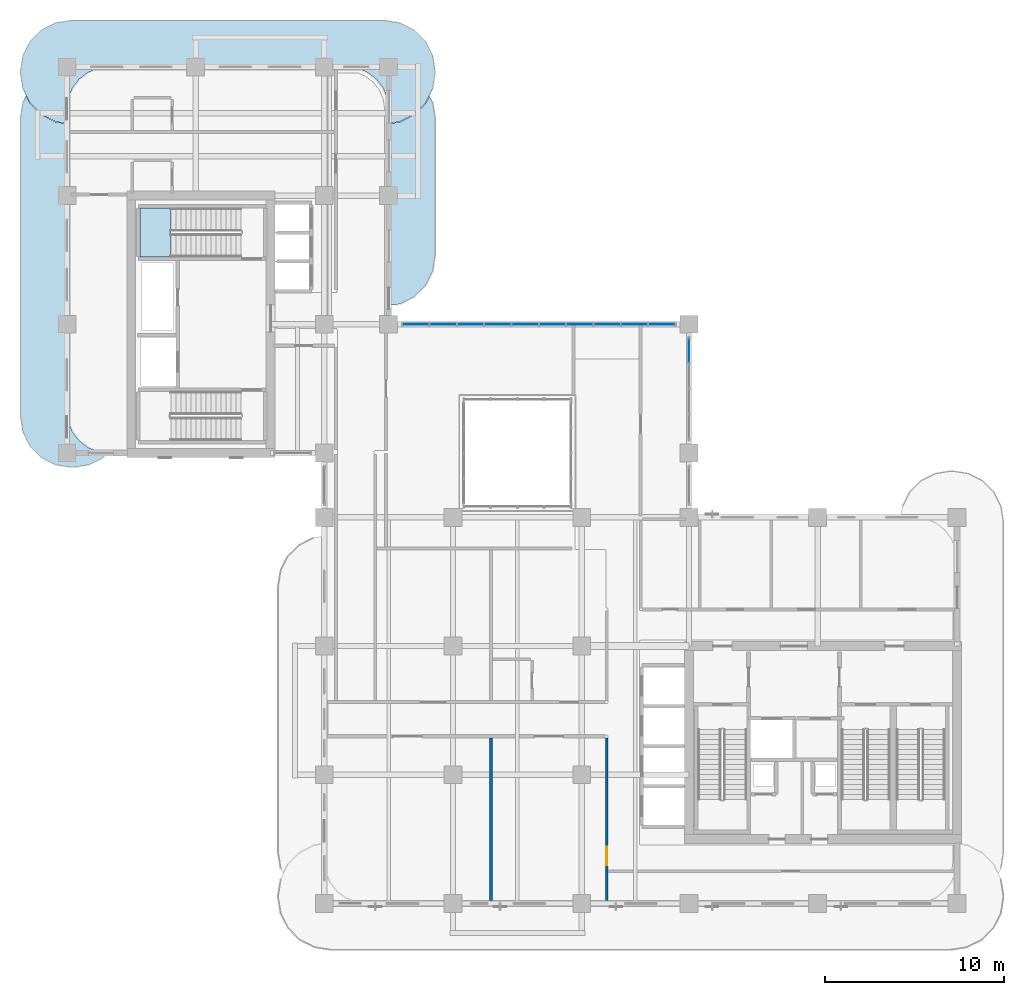
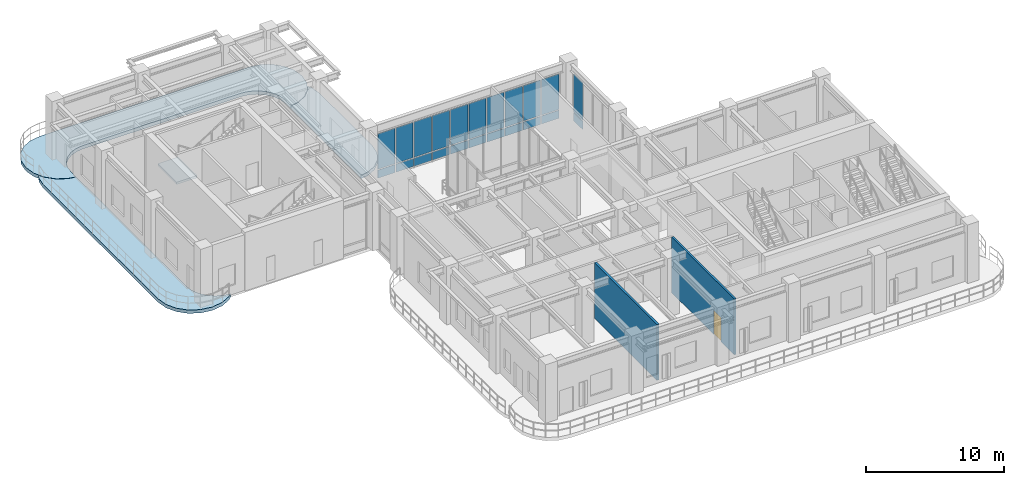
# One storey, part 10 of 21: 22 plates, 4 slabs, 2 walls, 1 door, 1 opening, 3 elements without a shape of their own.
"""IFC4 building model written with IfcOpenShell, lengths in metres."""

import ifcopenshell
import ifcopenshell.guid

model = None  # the IFC model being written
_history = None  # IfcOwnerHistory: only IFC2X3 demands one
_inside = {}  # id of a spatial element -> (the spatial element, [elements in it])
_under = {}  # id of a project, library or spatial element -> (it, [spatial elements below it])
_declared = {}  # id of a project -> (the project, [libraries it declares])
_typed = {}  # id of a type object -> (the type object, [elements of that type])
_made_of = {}  # id of a material, layer set ... -> (it, [elements and type objects made of it])


def new_model(schema):
    """Start an empty IFC model of exactly this schema.

    Asked for "IFC4X3", IfcOpenShell would pick the latest addendum, in which some entities
    have other attributes; the version numbers below select the first issue.
    IFC2X3 requires an IfcOwnerHistory on every rooted entity: one is made here for all.
    """
    global model, _history
    if schema == "IFC4X3":
        model = ifcopenshell.file(schema_version=(4, 3, 0, 0))
    else:
        model = ifcopenshell.file(schema=schema)
    _inside.clear()
    _under.clear()
    _declared.clear()
    _typed.clear()
    _made_of.clear()
    _history = None
    if model.schema == "IFC2X3":
        org = make("IfcOrganization", Name="unknown")
        user = make(
            "IfcPersonAndOrganization",
            ThePerson=make("IfcPerson", FamilyName="unknown"),
            TheOrganization=org,
        )
        app = make(
            "IfcApplication",
            ApplicationDeveloper=org,
            Version="unknown",
            ApplicationFullName="unknown",
            ApplicationIdentifier="unknown",
        )
        _history = make(
            "IfcOwnerHistory",
            OwningUser=user,
            OwningApplication=app,
            ChangeAction="ADDED",
            CreationDate=0,
        )
    return model


def make(cls, **values):
    """One entity of the class cls with the attributes given. An attribute that is None is left unset."""
    return model.create_entity(
        cls, **{name: value for name, value in values.items() if value is not None}
    )


def rooted(cls, **values):
    """An entity with a GlobalId (a new one), such as an element, a storey or a relation."""
    return make(cls, GlobalId=ifcopenshell.guid.new(), OwnerHistory=_history, **values)


def si_unit(unit_type, name, prefix=None):
    """IfcSIUnit, for example si_unit("LENGTHUNIT", "METRE", prefix="MILLI")."""
    return make("IfcSIUnit", UnitType=unit_type, Prefix=prefix, Name=name)


def derived_unit(unit_type, elements):
    """IfcDerivedUnit: a product of units, each with its exponent."""
    return make(
        "IfcDerivedUnit",
        Elements=[
            make("IfcDerivedUnitElement", Unit=unit, Exponent=power)
            for unit, power in elements
        ],
        UnitType=unit_type,
    )


def assignment(units):
    """IfcUnitAssignment: the units of a project."""
    return None if units is None else make("IfcUnitAssignment", Units=units)


def point(xyz):
    """IfcCartesianPoint."""
    return None if xyz is None else make("IfcCartesianPoint", Coordinates=xyz)


def direction(xyz):
    """IfcDirection."""
    return None if xyz is None else make("IfcDirection", DirectionRatios=xyz)


def frame(location, z_axis=None, x_axis=None):
    """IfcAxis2Placement3D, a coordinate frame: its origin and axes. An axis left out is left unset."""
    return make(
        "IfcAxis2Placement3D",
        Location=point(location),
        Axis=direction(z_axis),
        RefDirection=direction(x_axis),
    )


def frame_2d(location, x_axis=None):
    """IfcAxis2Placement2D, a coordinate frame in the plane: its origin and x axis."""
    return make(
        "IfcAxis2Placement2D", Location=point(location), RefDirection=direction(x_axis)
    )


def origin():
    """The frame at (0, 0, 0) with its axes left unset."""
    return frame((0.0, 0.0, 0.0))


def origin_2d():
    """The frame at (0, 0) in the plane with its x axis left unset."""
    return frame_2d((0.0, 0.0))


def place(relative_to, where):
    """IfcLocalPlacement: puts the frame where relative to a parent placement (None: the world)."""
    return make(
        "IfcLocalPlacement", PlacementRelTo=relative_to, RelativePlacement=where
    )


def context(
    kind, dimensions, precision=None, world=None, true_north=None, identifier=None
):
    """IfcGeometricRepresentationContext, for example the 3D "Model" context."""
    return make(
        "IfcGeometricRepresentationContext",
        ContextIdentifier=identifier,
        ContextType=kind,
        CoordinateSpaceDimension=dimensions,
        Precision=precision,
        WorldCoordinateSystem=world,
        TrueNorth=true_north,
    )


def subcontext(parent, identifier, kind, view, scale=None):
    """IfcGeometricRepresentationSubContext, for example "Body" below "Model"."""
    return make(
        "IfcGeometricRepresentationSubContext",
        ContextIdentifier=identifier,
        ContextType=kind,
        ParentContext=parent,
        TargetScale=scale,
        TargetView=view,
    )


def project(units=None, contexts=None):
    """IfcProject with its units and contexts."""
    return rooted(
        "IfcProject",
        Name="project",
        RepresentationContexts=contexts,
        UnitsInContext=assignment(units),
    )


def spatial(cls, under=None, at=None, **own):
    """A site, building, storey or space (cls), placed at a placement, below another one or the project."""
    s = rooted(cls, ObjectPlacement=at, **own)
    if under is not None:
        _under.setdefault(under.id(), (under, []))[1].append(s)
    return s


def polyline(points):
    """IfcPolyline through the points."""
    return make("IfcPolyline", Points=[point(p) for p in points])


def profile(cls, at=None, kind="AREA", **sizes):
    """A parametric profile (cls). Its sizes go by their IFC names, for example OverallWidth=200.0."""
    return make(cls, ProfileType=kind, Position=at, **sizes)


def rectangle(**sizes):
    """IfcRectangleProfileDef."""
    return profile("IfcRectangleProfileDef", **sizes)


def outline(outer, holes=None, kind="AREA"):
    """IfcArbitraryClosedProfileDef: a profile drawn as a closed curve; with holes, ...WithVoids."""
    if holes is None:
        return make("IfcArbitraryClosedProfileDef", ProfileType=kind, OuterCurve=outer)
    return make(
        "IfcArbitraryProfileDefWithVoids",
        ProfileType=kind,
        OuterCurve=outer,
        InnerCurves=holes,
    )


def extrude(swept, where, along, depth):
    """IfcExtrudedAreaSolid: the profile swept, set in the frame where, extruded along a direction by depth."""
    return make(
        "IfcExtrudedAreaSolid",
        SweptArea=swept,
        Position=where,
        ExtrudedDirection=direction(along),
        Depth=depth,
    )


def shape(context_of_items, identifier, shape_type, items):
    """IfcShapeRepresentation: the items that make up one representation, for example the "Body"."""
    return make(
        "IfcShapeRepresentation",
        ContextOfItems=context_of_items,
        RepresentationIdentifier=identifier,
        RepresentationType=shape_type,
        Items=items,
    )


def source(mapping_origin, context_of_items, identifier, shape_type, items):
    """IfcRepresentationMap: a shape defined once, which mapped items show again and again."""
    return make(
        "IfcRepresentationMap",
        MappingOrigin=mapping_origin,
        MappedRepresentation=shape(context_of_items, identifier, shape_type, items),
    )


def transform(
    local_origin,
    x_axis=None,
    y_axis=None,
    z_axis=None,
    scale=None,
    scale2=None,
    scale3=None,
    uniform=True,
):
    """IfcCartesianTransformationOperator3D, or its non-uniform kind. x_axis, y_axis, z_axis: its Axis1, 2, 3."""
    if uniform:
        return make(
            "IfcCartesianTransformationOperator3D",
            Axis1=direction(x_axis),
            Axis2=direction(y_axis),
            LocalOrigin=point(local_origin),
            Scale=scale,
            Axis3=direction(z_axis),
        )
    return make(
        "IfcCartesianTransformationOperator3DnonUniform",
        Axis1=direction(x_axis),
        Axis2=direction(y_axis),
        LocalOrigin=point(local_origin),
        Scale=scale,
        Axis3=direction(z_axis),
        Scale2=scale2,
        Scale3=scale3,
    )


def mapped(mapping_source, mapping_target):
    """IfcMappedItem: shows the shape of a source again, moved by a transform."""
    return make(
        "IfcMappedItem", MappingSource=mapping_source, MappingTarget=mapping_target
    )


def material(Name=None, Category=None):
    """IfcMaterial."""
    return make("IfcMaterial", Name=Name, Category=Category)


def layer(
    of_material, thickness, ventilated=None, Name=None, Category=None, Priority=None
):
    """IfcMaterialLayer: one layer of a wall or slab, of a material (None: an air gap)."""
    return make(
        "IfcMaterialLayer",
        Material=of_material,
        LayerThickness=thickness,
        IsVentilated=ventilated,
        Name=Name,
        Category=Category,
        Priority=Priority,
    )


def layer_set(layers, Name=None):
    """IfcMaterialLayerSet."""
    return make("IfcMaterialLayerSet", MaterialLayers=layers, LayerSetName=Name)


def made_of(thing, what):
    """Note that an element or type object is made of a material, layer set ...; save() writes the relation."""
    if what is not None:
        _made_of.setdefault(what.id(), (what, []))[1].append(thing)
    return thing


def type_object(cls, material=None, **own):
    """A type object (cls), such as IfcWallType, which elements share."""
    return made_of(rooted(cls, **own), material)


def type_shapes(of_type, sources):
    """Give a type object the sources (RepresentationMaps) that its elements show as mapped items."""
    of_type.RepresentationMaps = sources


def element(
    cls,
    number,
    at=None,
    inside=None,
    cuts=None,
    type_object=None,
    material=None,
    context=None,
    identifier="Body",
    shape_type=None,
    held_by="IfcProductDefinitionShape",
    body=None,
    shapes=None,
    **own,
):
    """One element of the class cls, such as IfcWall. Its Tag is "e" and its number.

    at: its placement. inside: the storey or other place that contains it. cuts: it is an
    opening in that element (IfcRelVoidsElement). A single representation is given by context,
    identifier, shape_type and body (its items); several are given by shapes. held_by: the class
    of the entity that holds the representations. save() writes the other relations.
    """
    e = rooted(cls, Tag="e%d" % number, ObjectPlacement=at, **own)
    if body is not None:
        shapes = [shape(context, identifier, shape_type, body)]
    if shapes is not None:
        e.Representation = make(held_by, Representations=shapes)
    if inside is not None:
        _inside.setdefault(inside.id(), (inside, []))[1].append(e)
    if cuts is not None:
        rooted(
            "IfcRelVoidsElement", RelatingBuildingElement=cuts, RelatedOpeningElement=e
        )
    if type_object is not None:
        _typed.setdefault(type_object.id(), (type_object, []))[1].append(e)
    return made_of(e, material)


def fill(opening, filler):
    """IfcRelFillsElement: the door or window that sits in an opening."""
    return rooted(
        "IfcRelFillsElement",
        RelatingOpeningElement=opening,
        RelatedBuildingElement=filler,
    )


def aggregate(whole, parts):
    """IfcRelAggregates: a whole, such as a stair, and the parts it consists of."""
    return rooted("IfcRelAggregates", RelatingObject=whole, RelatedObjects=parts)


def save(model, path):
    """Write the relations noted so far, then the file.

    IfcRelAggregates (storeys below a building ...), IfcRelContainedInSpatialStructure (elements
    in a storey), IfcRelDefinesByType, IfcRelAssociatesMaterial and IfcRelDeclares: one each for
    every whole, place, type object, material and project.
    """
    for whole, parts in _under.values():
        aggregate(whole, parts)
    for where, things in _inside.values():
        rooted(
            "IfcRelContainedInSpatialStructure",
            RelatedElements=things,
            RelatingStructure=where,
        )
    for kind, things in _typed.values():
        rooted("IfcRelDefinesByType", RelatedObjects=things, RelatingType=kind)
    for what, things in _made_of.values():
        rooted("IfcRelAssociatesMaterial", RelatedObjects=things, RelatingMaterial=what)
    for by, libraries in _declared.values():
        rooted("IfcRelDeclares", RelatingContext=by, RelatedDefinitions=libraries)
    model.write(path)


model = new_model("IFC4")

# Units and contexts
model_context = context("Model", 3, precision=1e-05, world=origin(), true_north=direction((0.0, 1.0)))
body_context = subcontext(model_context, "Body", "Model", "MODEL_VIEW")
ifc_project = project(units=[si_unit("LENGTHUNIT", "METRE"), si_unit("AREAUNIT", "SQUARE_METRE"), si_unit("VOLUMEUNIT", "CUBIC_METRE"), si_unit("PLANEANGLEUNIT", "RADIAN"), si_unit("MASSUNIT", "GRAM", prefix="KILO"), si_unit("THERMODYNAMICTEMPERATUREUNIT", "KELVIN"), si_unit("POWERUNIT", "WATT"), derived_unit("THERMALTRANSMITTANCEUNIT", [(si_unit("POWERUNIT", "WATT"), 1), (si_unit("AREAUNIT", "SQUARE_METRE"), -1), (si_unit("THERMODYNAMICTEMPERATUREUNIT", "KELVIN"), -1)])], contexts=[model_context])

# Site, building, storey
site_placement = place(None, origin())
site = spatial("IfcSite", under=ifc_project, at=site_placement, CompositionType="ELEMENT")
building_placement = place(site_placement, origin())
building = spatial("IfcBuilding", under=site, at=building_placement, Name="Zahravan Archway Hotel and Residences", CompositionType="ELEMENT")
storey_placement = place(building_placement, frame((0.0, 0.0, 145.10009765625)))
storey = spatial("IfcBuildingStorey", under=building, at=storey_placement, Name="L36", CompositionType="ELEMENT", Elevation=145.10009765625)

# Slabs
ifc_material_1 = material(Name="Concrete C50/60", Category="concrete")
ifc_layer_1 = layer(ifc_material_1, 0.300048828125, Name="Concrete C50/60", Category="concrete")
ifc_layer_set_1 = layer_set([ifc_layer_1], Name="Concrete C50/60")
slab_type_1 = type_object("IfcSlabType", Name="SLB-FLR-300", PredefinedType="FLOOR", material=ifc_layer_set_1)
slab_1_placement = place(storey_placement, frame((0.0, 0.0, -0.300048828125)))
element("IfcSlab", 1, at=slab_1_placement, inside=storey, type_object=slab_type_1, Name="L36 Wing B North Rounded Balcony Band", PredefinedType="FLOOR", context=body_context, shape_type="SweptSolid", body=[
    extrude(outline(polyline([(-0.630615234375, 43.739501953125), (-1.42529296875, 44.144287109375), (-2.0556640625, 44.77490234375), (-2.46044921875, 45.5693359375), (-2.60009765625, 46.449951171875), (-2.60009765625, 46.550048828125), (-2.46044921875, 47.4306640625), (-2.0556640625, 48.22509765625), (-1.42529296875, 48.855712890625), (-0.630615234375, 49.260498046875), (0.25, 49.39990234375), (17.75, 49.39990234375), (18.630615234375, 49.260498046875), (19.42529296875, 48.855712890625), (20.0556640625, 48.22509765625), (20.46044921875, 47.4306640625), (20.60009765625, 46.550048828125), (20.60009765625, 46.449951171875), (20.46044921875, 45.5693359375), (20.0556640625, 44.77490234375), (19.42529296875, 44.144287109375), (18.630615234375, 43.739501953125), (18.02001953125, 43.642822265625), (18.02001953125, 44.39990234375), (18.019775390625, 44.402587890625), (17.93798828125, 45.023681640625), (17.937744140625, 45.025390625), (17.937255859375, 45.027099609375), (17.936767578125, 45.02880859375), (17.697021484375, 45.607666015625), (17.6962890625, 45.609130859375), (17.6953125, 45.610595703125), (17.6943359375, 45.6123046875), (17.31298828125, 46.109375), (17.311767578125, 46.110595703125), (17.310546875, 46.11181640625), (17.309326171875, 46.113037109375), (16.812255859375, 46.494384765625), (16.810791015625, 46.495361328125), (16.80908203125, 46.49609375), (16.8076171875, 46.4970703125), (16.22900390625, 46.73681640625), (16.227294921875, 46.7373046875), (16.2255859375, 46.73779296875), (16.223876953125, 46.738037109375), (15.6025390625, 46.81982421875), (15.60009765625, 46.820068359375), (2.39990234375, 46.820068359375), (2.3974609375, 46.81982421875), (1.776123046875, 46.738037109375), (1.7744140625, 46.73779296875), (1.772705078125, 46.7373046875), (1.77099609375, 46.73681640625), (1.1923828125, 46.4970703125), (1.19091796875, 46.49609375), (1.189208984375, 46.495361328125), (1.187744140625, 46.494384765625), (0.690673828125, 46.113037109375), (0.689453125, 46.11181640625), (0.688232421875, 46.110595703125), (0.68701171875, 46.109375), (0.3056640625, 45.6123046875), (0.3046875, 45.610595703125), (0.3037109375, 45.609130859375), (0.302978515625, 45.607666015625), (0.063232421875, 45.02880859375), (0.062744140625, 45.027099609375), (0.062255859375, 45.025390625), (0.06201171875, 45.023681640625), (-0.019775390625, 44.402587890625), (-0.02001953125, 44.39990234375), (-0.02001953125, 43.642822265625), (-0.630615234375, 43.739501953125)])), origin(), (0.0, 0.0, 1.0), 0.300048828125),
])
slab_2_placement = place(storey_placement, frame((0.0, 0.0, -0.300048828125)))
element("IfcSlab", 2, at=slab_2_placement, inside=storey, type_object=slab_type_1, Name="L36 Wing B West Rounded Balcony Band", PredefinedType="FLOOR", context=body_context, shape_type="SweptSolid", body=[
    extrude(outline(polyline([(2.025146484375, 24.9443359375), (1.230712890625, 24.53955078125), (0.35009765625, 24.39990234375), (0.25, 24.39990234375), (-0.630615234375, 24.53955078125), (-1.42529296875, 24.9443359375), (-2.0556640625, 25.57470703125), (-2.46044921875, 26.369384765625), (-2.60009765625, 27.25), (-2.60009765625, 43.949951171875), (-2.46044921875, 44.830810546875), (-2.28369140625, 45.177978515625), (-2.073486328125, 44.765625), (-2.072509765625, 44.763916015625), (-2.0712890625, 44.76220703125), (-2.06982421875, 44.7607421875), (-1.439208984375, 44.130126953125), (-1.437744140625, 44.12890625), (-1.43603515625, 44.12744140625), (-1.434326171875, 44.12646484375), (-0.639892578125, 43.7216796875), (-0.637939453125, 43.720703125), (-0.635986328125, 43.72021484375), (-0.6337890625, 43.7197265625), (-0.023193359375, 43.623046875), (-0.021240234375, 43.622802734375), (-0.02001953125, 43.622802734375), (-0.02001953125, 27.60009765625), (-0.019775390625, 27.597412109375), (0.06201171875, 26.976318359375), (0.062255859375, 26.974609375), (0.062744140625, 26.972900390625), (0.063232421875, 26.97119140625), (0.302978515625, 26.392333984375), (0.3037109375, 26.390869140625), (0.3046875, 26.389404296875), (0.3056640625, 26.3876953125), (0.68701171875, 25.890625), (0.688232421875, 25.889404296875), (0.689453125, 25.88818359375), (0.690673828125, 25.886962890625), (1.187744140625, 25.505615234375), (1.189208984375, 25.504638671875), (1.19091796875, 25.50390625), (1.1923828125, 25.5029296875), (1.77099609375, 25.26318359375), (1.772705078125, 25.2626953125), (1.7744140625, 25.26220703125), (1.776123046875, 25.261962890625), (2.27685546875, 25.196044921875), (2.025146484375, 24.9443359375)])), origin(), (0.0, 0.0, 1.0), 0.300048828125),
])
slab_3_placement = place(storey_placement, frame((0.0, 0.0, -0.300048828125)))
element("IfcSlab", 3, at=slab_3_placement, inside=storey, type_object=slab_type_1, Name="L36 Wing B East Rounded Balcony Band", PredefinedType="FLOOR", context=body_context, shape_type="SweptSolid", body=[
    extrude(outline(polyline([(20.46044921875, 44.830810546875), (20.60009765625, 43.949951171875), (20.60009765625, 36.25), (20.46044921875, 35.369384765625), (20.0556640625, 34.57470703125), (19.42529296875, 33.9443359375), (18.630615234375, 33.53955078125), (18.02001953125, 33.44287109375), (18.02001953125, 43.622802734375), (18.021240234375, 43.622802734375), (18.023193359375, 43.623046875), (18.6337890625, 43.7197265625), (18.635986328125, 43.72021484375), (18.637939453125, 43.720703125), (18.639892578125, 43.7216796875), (19.434326171875, 44.12646484375), (19.43603515625, 44.12744140625), (19.437744140625, 44.12890625), (19.439208984375, 44.130126953125), (20.06982421875, 44.7607421875), (20.0712890625, 44.76220703125), (20.072509765625, 44.763916015625), (20.073486328125, 44.765625), (20.28369140625, 45.177978515625), (20.46044921875, 44.830810546875)])), origin(), (0.0, 0.0, 1.0), 0.300048828125),
])

# Stair, slab
stair_type = type_object("IfcStairType", Name="STR-CORE-1300", PredefinedType="HALF_TURN_STAIR", material=ifc_material_1)
stair_placement = place(storey_placement, origin())
stair = element("IfcStair", 4, at=stair_placement, inside=storey, type_object=stair_type, Name="L36 Core B Exit Stair 2", PredefinedType="HALF_TURN_STAIR")
ifc_layer_2 = layer(ifc_material_1, 0.199951171875, Name="Concrete C50/60", Category="concrete")
ifc_layer_set_2 = layer_set([ifc_layer_2], Name="Concrete C50/60")
slab_type_2 = type_object("IfcSlabType", Name="SLB-LND-200", PredefinedType="LANDING", material=ifc_layer_set_2)
slab_4_placement = place(storey_placement, frame((0.0, 0.0, 2.39990234375)))
slab_4 = element("IfcSlab", 5, at=slab_4_placement, type_object=slab_type_2, Name="ST-B2 landing 1", PredefinedType="LANDING", context=body_context, shape_type="SweptSolid", body=[
    extrude(outline(polyline([(5.81005859375, 38.89990234375), (4.10009765625, 38.89990234375), (4.10009765625, 36.159912109375), (5.81005859375, 36.159912109375), (5.81005859375, 38.89990234375)])), origin(), (0.0, 0.0, 1.0), 0.199951171875),
])
aggregate(stair, [slab_4])

# Curtain wall, plate
ifc_material_2 = material(Name="Bronze-Anodized Unitised Aluminium & Low-E Glass", Category="aluminium")
ifc_layer_3 = layer(ifc_material_2, 0.179931640625, Name="Bronze-Anodized Unitised Aluminium & Low-E Glass", Category="aluminium")
ifc_layer_set_3 = layer_set([ifc_layer_3], Name="Bronze-Anodized Unitised Aluminium & Low-E Glass")
curtain_wall_type = type_object("IfcCurtainWallType", Name="CW-SBG-2", PredefinedType="NOTDEFINED", material=ifc_layer_set_3)
curtain_wall_1_placement = place(storey_placement, origin())
curtain_wall_1 = element("IfcCurtainWall", 6, at=curtain_wall_1_placement, inside=storey, type_object=curtain_wall_type, Name="L36 Curtain Wall CW-L36-HNG-E-2", PredefinedType="NOTDEFINED")
ifc_material_3 = material(Name="Insulated Terracotta Spandrel Panel", Category="masonry")
ifc_layer_4 = layer(ifc_material_3, 0.0400390625, Name="Insulated Terracotta Spandrel Panel", Category="masonry")
ifc_layer_set_4 = layer_set([ifc_layer_4], Name="Insulated Terracotta Spandrel Panel")
plate_type_1 = type_object("IfcPlateType", Name="CWP-SPN-40", PredefinedType="SHEET", material=ifc_layer_set_4)
shared_shape_1 = source(origin(), body_context, "Body", "SweptSolid", [
    extrude(rectangle(XDim=1.340087890625, YDim=0.0400390625, at=origin_2d()), origin(), (0.0, 0.0, 1.0), 0.7099609375),
])
plate_1_placement = place(storey_placement, frame((34.800048828125, 30.929931640625, 0.099853515625), z_axis=(0.0, 0.0, 1.0), x_axis=(0.0, 1.0, 0.0)))
plate_1 = element("IfcPlate", 7, at=plate_1_placement, type_object=plate_type_1, Name="CW-L36-HNG-E-2 Spandrel Panel 3", PredefinedType="SHEET", context=body_context, shape_type="MappedRepresentation", body=[
    mapped(shared_shape_1, transform((0.0, 0.0, 0.0), scale=1.0)),
])

# Curtain wall, plates
curtain_wall_2_placement = place(storey_placement, origin())
curtain_wall_2 = element("IfcCurtainWall", 8, at=curtain_wall_2_placement, inside=storey, type_object=curtain_wall_type, Name="L36 Curtain Wall CW-L36-HNG-N-1", PredefinedType="NOTDEFINED")
shared_shape_2 = source(origin(), body_context, "Body", "SweptSolid", [
    extrude(rectangle(XDim=1.447998046875, YDim=0.0400390625, at=origin_2d()), origin(), (0.0, 0.0, 1.0), 0.7099609375),
])
plate_2_placement = place(storey_placement, frame((19.52392578125, 32.39990234375, 0.099853515625), z_axis=(0.0, 0.0, 1.0), x_axis=(1.0, 0.0, 0.0)))
plate_2 = element("IfcPlate", 9, at=plate_2_placement, type_object=plate_type_1, Name="CW-L36-HNG-N-1 Spandrel Panel 0", PredefinedType="SHEET", context=body_context, shape_type="MappedRepresentation", body=[
    mapped(shared_shape_2, transform((0.0, 0.0, 0.0), scale=1.0)),
])
plate_3_placement = place(storey_placement, frame((21.052001953125, 32.39990234375, 0.099853515625), z_axis=(0.0, 0.0, 1.0), x_axis=(1.0, 0.0, 0.0)))
plate_3 = element("IfcPlate", 10, at=plate_3_placement, type_object=plate_type_1, Name="CW-L36-HNG-N-1 Spandrel Panel 1", PredefinedType="SHEET", context=body_context, shape_type="MappedRepresentation", body=[
    mapped(shared_shape_2, transform((0.0, 0.0, 0.0), scale=1.0)),
])
plate_4_placement = place(storey_placement, frame((22.580078125, 32.39990234375, 0.099853515625), z_axis=(0.0, 0.0, 1.0), x_axis=(1.0, 0.0, 0.0)))
plate_4 = element("IfcPlate", 11, at=plate_4_placement, type_object=plate_type_1, Name="CW-L36-HNG-N-1 Spandrel Panel 2", PredefinedType="SHEET", context=body_context, shape_type="MappedRepresentation", body=[
    mapped(shared_shape_2, transform((0.0, 0.0, 0.0), scale=1.0)),
])
plate_5_placement = place(storey_placement, frame((24.10791015625, 32.39990234375, 0.099853515625), z_axis=(0.0, 0.0, 1.0), x_axis=(1.0, 0.0, 0.0)))
plate_5 = element("IfcPlate", 12, at=plate_5_placement, type_object=plate_type_1, Name="CW-L36-HNG-N-1 Spandrel Panel 3", PredefinedType="SHEET", context=body_context, shape_type="MappedRepresentation", body=[
    mapped(shared_shape_2, transform((0.0, 0.0, 0.0), scale=1.0)),
])
plate_6_placement = place(storey_placement, frame((25.635986328125, 32.39990234375, 0.099853515625), z_axis=(0.0, 0.0, 1.0), x_axis=(1.0, 0.0, 0.0)))
plate_6 = element("IfcPlate", 13, at=plate_6_placement, type_object=plate_type_1, Name="CW-L36-HNG-N-1 Spandrel Panel 4", PredefinedType="SHEET", context=body_context, shape_type="MappedRepresentation", body=[
    mapped(shared_shape_2, transform((0.0, 0.0, 0.0), scale=1.0)),
])
plate_7_placement = place(storey_placement, frame((27.1640625, 32.39990234375, 0.099853515625), z_axis=(0.0, 0.0, 1.0), x_axis=(1.0, 0.0, 0.0)))
plate_7 = element("IfcPlate", 14, at=plate_7_placement, type_object=plate_type_1, Name="CW-L36-HNG-N-1 Spandrel Panel 5", PredefinedType="SHEET", context=body_context, shape_type="MappedRepresentation", body=[
    mapped(shared_shape_2, transform((0.0, 0.0, 0.0), scale=1.0)),
])
plate_8_placement = place(storey_placement, frame((28.69189453125, 32.39990234375, 0.099853515625), z_axis=(0.0, 0.0, 1.0), x_axis=(1.0, 0.0, 0.0)))
plate_8 = element("IfcPlate", 15, at=plate_8_placement, type_object=plate_type_1, Name="CW-L36-HNG-N-1 Spandrel Panel 6", PredefinedType="SHEET", context=body_context, shape_type="MappedRepresentation", body=[
    mapped(shared_shape_2, transform((0.0, 0.0, 0.0), scale=1.0)),
])
plate_9_placement = place(storey_placement, frame((30.219970703125, 32.39990234375, 0.099853515625), z_axis=(0.0, 0.0, 1.0), x_axis=(1.0, 0.0, 0.0)))
plate_9 = element("IfcPlate", 16, at=plate_9_placement, type_object=plate_type_1, Name="CW-L36-HNG-N-1 Spandrel Panel 7", PredefinedType="SHEET", context=body_context, shape_type="MappedRepresentation", body=[
    mapped(shared_shape_2, transform((0.0, 0.0, 0.0), scale=1.0)),
])
plate_10_placement = place(storey_placement, frame((31.748046875, 32.39990234375, 0.099853515625), z_axis=(0.0, 0.0, 1.0), x_axis=(1.0, 0.0, 0.0)))
plate_10 = element("IfcPlate", 17, at=plate_10_placement, type_object=plate_type_1, Name="CW-L36-HNG-N-1 Spandrel Panel 8", PredefinedType="SHEET", context=body_context, shape_type="MappedRepresentation", body=[
    mapped(shared_shape_2, transform((0.0, 0.0, 0.0), scale=1.0)),
])
plate_11_placement = place(storey_placement, frame((33.27587890625, 32.39990234375, 0.099853515625), z_axis=(0.0, 0.0, 1.0), x_axis=(1.0, 0.0, 0.0)))
plate_11 = element("IfcPlate", 18, at=plate_11_placement, type_object=plate_type_1, Name="CW-L36-HNG-N-1 Spandrel Panel 9", PredefinedType="SHEET", context=body_context, shape_type="MappedRepresentation", body=[
    mapped(shared_shape_2, transform((0.0, 0.0, 0.0), scale=1.0)),
])
ifc_material_4 = material(Name="Double-Silver Low-E Insulated Vision Glass", Category="glass")
ifc_layer_5 = layer(ifc_material_4, 0.028076171875, Name="Double-Silver Low-E Insulated Vision Glass", Category="glass")
ifc_layer_set_5 = layer_set([ifc_layer_5], Name="Double-Silver Low-E Insulated Vision Glass")
plate_type_2 = type_object("IfcPlateType", Name="CWP-GLZ-28", PredefinedType="CURTAIN_PANEL", material=ifc_layer_set_5)
shared_shape_3 = source(origin(), body_context, "Body", "SweptSolid", [
    extrude(rectangle(XDim=1.447998046875, YDim=0.028076171875, at=origin_2d()), origin(), (0.0, 0.0, 1.0), 3.14501953125),
])
plate_12_placement = place(storey_placement, frame((19.52392578125, 32.39990234375, 0.889892578125), z_axis=(0.0, 0.0, 1.0), x_axis=(1.0, 0.0, 0.0)))
plate_12 = element("IfcPlate", 19, at=plate_12_placement, type_object=plate_type_2, Name="CW-L36-HNG-N-1 Low-E Vision Panel 0", PredefinedType="CURTAIN_PANEL", context=body_context, shape_type="MappedRepresentation", body=[
    mapped(shared_shape_3, transform((0.0, 0.0, 0.0), scale=1.0)),
])
plate_13_placement = place(storey_placement, frame((21.052001953125, 32.39990234375, 0.889892578125), z_axis=(0.0, 0.0, 1.0), x_axis=(1.0, 0.0, 0.0)))
plate_13 = element("IfcPlate", 20, at=plate_13_placement, type_object=plate_type_2, Name="CW-L36-HNG-N-1 Low-E Vision Panel 1", PredefinedType="CURTAIN_PANEL", context=body_context, shape_type="MappedRepresentation", body=[
    mapped(shared_shape_3, transform((0.0, 0.0, 0.0), scale=1.0)),
])
plate_14_placement = place(storey_placement, frame((22.580078125, 32.39990234375, 0.889892578125), z_axis=(0.0, 0.0, 1.0), x_axis=(1.0, 0.0, 0.0)))
plate_14 = element("IfcPlate", 21, at=plate_14_placement, type_object=plate_type_2, Name="CW-L36-HNG-N-1 Low-E Vision Panel 2", PredefinedType="CURTAIN_PANEL", context=body_context, shape_type="MappedRepresentation", body=[
    mapped(shared_shape_3, transform((0.0, 0.0, 0.0), scale=1.0)),
])
plate_15_placement = place(storey_placement, frame((24.10791015625, 32.39990234375, 0.889892578125), z_axis=(0.0, 0.0, 1.0), x_axis=(1.0, 0.0, 0.0)))
plate_15 = element("IfcPlate", 22, at=plate_15_placement, type_object=plate_type_2, Name="CW-L36-HNG-N-1 Low-E Vision Panel 3", PredefinedType="CURTAIN_PANEL", context=body_context, shape_type="MappedRepresentation", body=[
    mapped(shared_shape_3, transform((0.0, 0.0, 0.0), scale=1.0)),
])
plate_16_placement = place(storey_placement, frame((25.635986328125, 32.39990234375, 0.889892578125), z_axis=(0.0, 0.0, 1.0), x_axis=(1.0, 0.0, 0.0)))
plate_16 = element("IfcPlate", 23, at=plate_16_placement, type_object=plate_type_2, Name="CW-L36-HNG-N-1 Low-E Vision Panel 4", PredefinedType="CURTAIN_PANEL", context=body_context, shape_type="MappedRepresentation", body=[
    mapped(shared_shape_3, transform((0.0, 0.0, 0.0), scale=1.0)),
])
plate_17_placement = place(storey_placement, frame((27.1640625, 32.39990234375, 0.889892578125), z_axis=(0.0, 0.0, 1.0), x_axis=(1.0, 0.0, 0.0)))
plate_17 = element("IfcPlate", 24, at=plate_17_placement, type_object=plate_type_2, Name="CW-L36-HNG-N-1 Low-E Vision Panel 5", PredefinedType="CURTAIN_PANEL", context=body_context, shape_type="MappedRepresentation", body=[
    mapped(shared_shape_3, transform((0.0, 0.0, 0.0), scale=1.0)),
])
plate_18_placement = place(storey_placement, frame((28.69189453125, 32.39990234375, 0.889892578125), z_axis=(0.0, 0.0, 1.0), x_axis=(1.0, 0.0, 0.0)))
plate_18 = element("IfcPlate", 25, at=plate_18_placement, type_object=plate_type_2, Name="CW-L36-HNG-N-1 Low-E Vision Panel 6", PredefinedType="CURTAIN_PANEL", context=body_context, shape_type="MappedRepresentation", body=[
    mapped(shared_shape_3, transform((0.0, 0.0, 0.0), scale=1.0)),
])
plate_19_placement = place(storey_placement, frame((30.219970703125, 32.39990234375, 0.889892578125), z_axis=(0.0, 0.0, 1.0), x_axis=(1.0, 0.0, 0.0)))
plate_19 = element("IfcPlate", 26, at=plate_19_placement, type_object=plate_type_2, Name="CW-L36-HNG-N-1 Low-E Vision Panel 7", PredefinedType="CURTAIN_PANEL", context=body_context, shape_type="MappedRepresentation", body=[
    mapped(shared_shape_3, transform((0.0, 0.0, 0.0), scale=1.0)),
])
plate_20_placement = place(storey_placement, frame((31.748046875, 32.39990234375, 0.889892578125), z_axis=(0.0, 0.0, 1.0), x_axis=(1.0, 0.0, 0.0)))
plate_20 = element("IfcPlate", 27, at=plate_20_placement, type_object=plate_type_2, Name="CW-L36-HNG-N-1 Low-E Vision Panel 8", PredefinedType="CURTAIN_PANEL", context=body_context, shape_type="MappedRepresentation", body=[
    mapped(shared_shape_3, transform((0.0, 0.0, 0.0), scale=1.0)),
])
plate_21_placement = place(storey_placement, frame((33.27587890625, 32.39990234375, 0.889892578125), z_axis=(0.0, 0.0, 1.0), x_axis=(1.0, 0.0, 0.0)))
plate_21 = element("IfcPlate", 28, at=plate_21_placement, type_object=plate_type_2, Name="CW-L36-HNG-N-1 Low-E Vision Panel 9", PredefinedType="CURTAIN_PANEL", context=body_context, shape_type="MappedRepresentation", body=[
    mapped(shared_shape_3, transform((0.0, 0.0, 0.0), scale=1.0)),
])
aggregate(curtain_wall_2, [plate_2, plate_12, plate_3, plate_13, plate_4, plate_14, plate_5, plate_15, plate_6, plate_16, plate_7, plate_17, plate_8, plate_18, plate_9, plate_19, plate_10, plate_20, plate_11, plate_21])

# Plate
shared_shape_4 = source(origin(), body_context, "Body", "SweptSolid", [
    extrude(rectangle(XDim=1.340087890625, YDim=0.028076171875, at=origin_2d()), origin(), (0.0, 0.0, 1.0), 3.344970703125),
])
plate_22_placement = place(storey_placement, frame((34.800048828125, 30.929931640625, 0.89013671875), z_axis=(0.0, 0.0, 1.0), x_axis=(0.0, 1.0, 0.0)))
plate_22 = element("IfcPlate", 29, at=plate_22_placement, type_object=plate_type_2, Name="CW-L36-HNG-E-2 Low-E Vision Panel 3", PredefinedType="CURTAIN_PANEL", context=body_context, shape_type="MappedRepresentation", body=[
    mapped(shared_shape_4, transform((0.0, 0.0, 0.0), scale=1.0)),
])

aggregate(curtain_wall_1, [plate_1, plate_22])

# Wall, opening, door
ifc_material_5 = material(Name="Fire-Rated Gypsum & Concrete Block", Category="concrete")
ifc_layer_6 = layer(ifc_material_5, 0.159912109375, Name="Fire-Rated Gypsum & Concrete Block", Category="concrete")
ifc_layer_set_6 = layer_set([ifc_layer_6], Name="Fire-Rated Gypsum & Concrete Block")
wall_type_1 = type_object("IfcWallType", Name="PW-CORR-160", PredefinedType="PARTITIONING", material=ifc_layer_set_6)
wall_1_placement = place(storey_placement, frame((30.199951171875, 0.16796875, 0.0), z_axis=(0.0, 0.0, 1.0), x_axis=(0.0, 1.0, 0.0)))
wall_1 = element("IfcWall", 30, at=wall_1_placement, inside=storey, type_object=wall_type_1, Name="L36 Partition WA-SRW", PredefinedType="PARTITIONING", context=body_context, shape_type="SweptSolid", body=[
    extrude(rectangle(XDim=9.092041015625, YDim=0.159912109375, at=frame_2d((4.5458984375, 0.0))), origin(), (0.0, 0.0, 1.0), 4.949951171875),
])
opening_placement = place(wall_1_placement, frame((1.95703125, 0.0, 0.0)))
opening = element("IfcOpeningElement", 31, at=opening_placement, cuts=wall_1, Name="Opening FD-L2", PredefinedType="OPENING", context=body_context, shape_type="SweptSolid", body=[
    extrude(rectangle(XDim=1.050048828125, YDim=2.14990234375, at=frame_2d((0.52490234375, 1.074951171875))), frame((0.0, 0.08984375, 0.0), z_axis=(0.0, -1.0, 0.0), x_axis=(1.0, 0.0, 0.0)), (0.0, 0.0, 1.0), 0.179931640625),
])
ifc_material_6 = material(Name="Fire-Rated Painted Steel", Category="steel")
door_type = type_object("IfcDoorType", Name="FD-LOBBY-1100", OperationType="NOTDEFINED", PredefinedType="DOOR", material=ifc_material_6)
shared_shape_5 = source(origin(), body_context, "Body", "SweptSolid", [
    extrude(rectangle(XDim=1.050048828125, YDim=2.14990234375, at=frame_2d((0.52490234375, 1.074951171875))), frame((0.0, 0.02490234375, 0.0), z_axis=(0.0, -1.0, 0.0), x_axis=(1.0, 0.0, 0.0)), (0.0, 0.0, 1.0), 0.050048828125),
])
type_shapes(door_type, [shared_shape_5])
door_placement = place(opening_placement, origin())
door = element("IfcDoor", 32, at=door_placement, inside=storey, type_object=door_type, Name="L36 South Riser Corridor Door", OperationType="SINGLE_SWING_LEFT", OverallHeight=2.14990234375, OverallWidth=1.050048828125, PredefinedType="DOOR", context=body_context, shape_type="MappedRepresentation", body=[
    mapped(shared_shape_5, transform((0.0, 0.0, 0.0), scale=1.0)),
])
fill(opening, door)

# Wall
ifc_layer_7 = layer(ifc_material_5, 0.179931640625, Name="Fire-Rated Gypsum & Concrete Block", Category="concrete")
ifc_layer_set_7 = layer_set([ifc_layer_7], Name="Fire-Rated Gypsum & Concrete Block")
wall_type_2 = type_object("IfcWallType", Name="PW-CORR-180", PredefinedType="PARTITIONING", material=ifc_layer_set_7)
wall_2_placement = place(storey_placement, frame((23.719970703125, 0.16796875, 0.0), z_axis=(0.0, 0.0, 1.0), x_axis=(0.0, 1.0, 0.0)))
element("IfcWall", 33, at=wall_2_placement, inside=storey, type_object=wall_type_2, Name="L36 Partition WAS-OB36", PredefinedType="PARTITIONING", context=body_context, shape_type="SweptSolid", body=[
    extrude(rectangle(XDim=9.092041015625, YDim=0.179931640625, at=frame_2d((4.5458984375, 0.0))), origin(), (0.0, 0.0, 1.0), 4.949951171875),
])

save(model, "model.ifc")
